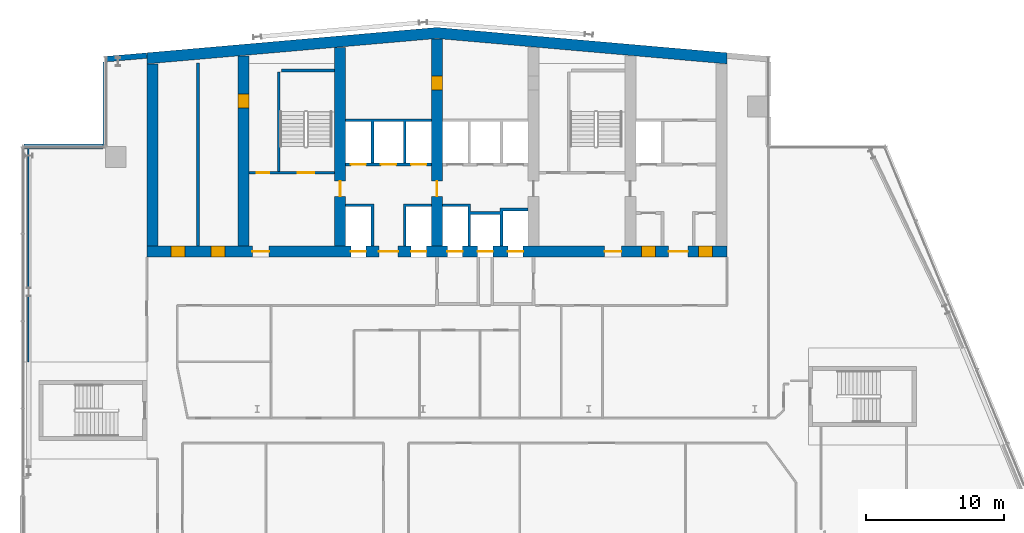
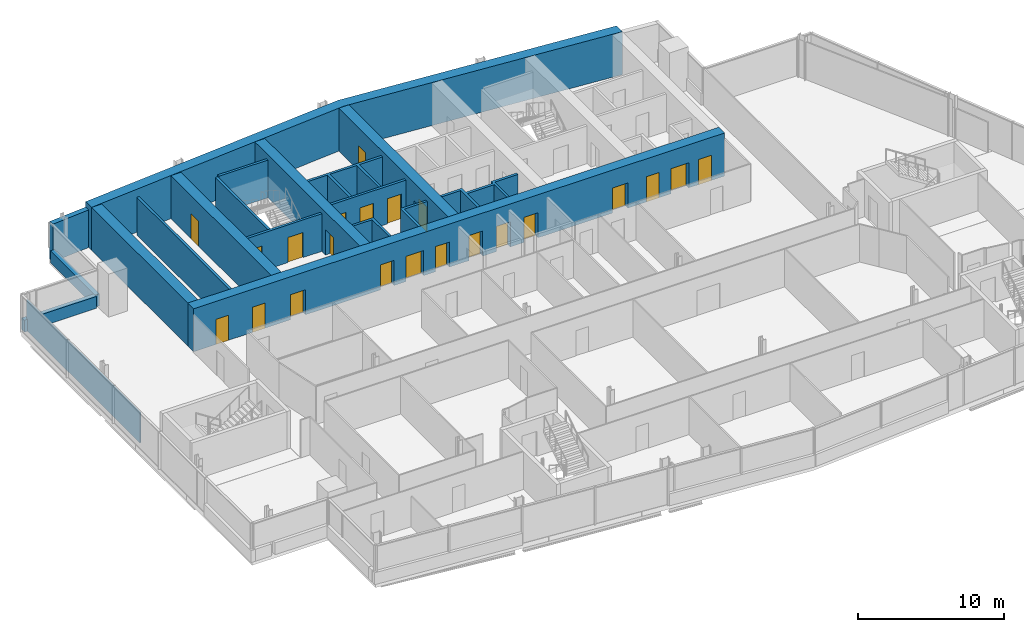
# One storey, part 19 of 24: 22 doors, 19 walls, 22 openings.
"""IFC4 building model written with IfcOpenShell, lengths in metres."""

from ifc_helpers import new_model, si_unit, direction, frame, frame_2d, origin, place, context, subcontext, project, spatial, polyline, rectangle, outline, extrude, material, layer, layer_set, type_object, element, fill, save


model = new_model("IFC4")

# Units and contexts
model_context = context("Model", 3, precision=1e-05, world=origin(), true_north=direction((0.0, 1.0)))
body_context = subcontext(model_context, "Body", "Model", "MODEL_VIEW")
ifc_project = project(units=[si_unit("LENGTHUNIT", "METRE"), si_unit("AREAUNIT", "SQUARE_METRE"), si_unit("VOLUMEUNIT", "CUBIC_METRE"), si_unit("PLANEANGLEUNIT", "RADIAN"), si_unit("MASSUNIT", "GRAM", prefix="KILO")], contexts=[model_context])

# Site, building, storey
site_placement = place(None, origin())
site = spatial("IfcSite", under=ifc_project, at=site_placement, CompositionType="ELEMENT")
building_placement = place(site_placement, origin())
building = spatial("IfcBuilding", under=site, at=building_placement, Name="Wharfspan Tower", CompositionType="ELEMENT")
storey_placement = place(building_placement, frame((0.0, 0.0, 198.699951)))
storey = spatial("IfcBuildingStorey", under=building, at=storey_placement, Name="L49", CompositionType="ELEMENT", Elevation=198.699951)

# Walls
ifc_material_1 = material(Name="Calcium silicate masonry", Category="masonry")
ifc_layer_1 = layer(ifc_material_1, 0.199951)
ifc_layer_set_1 = layer_set([ifc_layer_1], Name="Calcium silicate masonry")
wall_type_1 = type_object("IfcWallType", Name="Core room wall 200", PredefinedType="PARTITIONING", material=ifc_layer_set_1)
wall_1_placement = place(storey_placement, frame((19.699951, 34.800049, 0.0), z_axis=(0.0, 0.0, 1.0), x_axis=(0.0, 1.0, 0.0)))
element("IfcWall", 1, at=wall_1_placement, inside=storey, type_object=wall_type_1, Name="sw:L49:RM1", PredefinedType="PARTITIONING", context=body_context, shape_type="SweptSolid", body=[
    extrude(rectangle(XDim=13.234131, YDim=0.199951, at=frame_2d((6.617188, 0.0))), origin(), (0.0, 0.0, 1.0), 3.150146),
])
ifc_material_2 = material(Name="Concrete C60/75", Category="concrete")
ifc_layer_2 = layer(ifc_material_2, 0.800049)
ifc_layer_set_2 = layer_set([ifc_layer_2], Name="Concrete C60/75")
wall_type_2 = type_object("IfcWallType", Name="Core wall 800 C60/75", PredefinedType="SHEAR", material=ifc_layer_set_2)
wall_2_placement = place(storey_placement, origin())
element("IfcWall", 2, at=wall_2_placement, inside=storey, type_object=wall_type_2, Name="Core rear wall L49", PredefinedType="SHEAR", context=body_context, shape_type="SweptSolid", body=[
    extrude(outline(polyline([(16.0, 47.984375), (37.0, 49.821533), (58.0, 47.984375), (58.0, 48.787354), (37.0, 50.624756), (16.0, 48.787354), (16.0, 47.984375)])), origin(), (0.0, 0.0, 1.0), 3.600098),
])

# Wall, openings, doors
wall_3_placement = place(storey_placement, frame((16.0, 34.399902, 0.0), z_axis=(0.0, 0.0, 1.0), x_axis=(1.0, 0.0, 0.0)))
wall_3 = element("IfcWall", 3, at=wall_3_placement, inside=storey, type_object=wall_type_2, Name="Core front wall L49", PredefinedType="SHEAR", context=body_context, shape_type="SweptSolid", body=[
    extrude(rectangle(XDim=42.0, YDim=0.800049, at=frame_2d((21.0, 0.0))), origin(), (0.0, 0.0, 1.0), 3.600098),
])
opening_1_placement = place(wall_3_placement, frame((1.75, 0.0, 0.0)))
opening_1 = element("IfcOpeningElement", 4, at=opening_1_placement, cuts=wall_3, Name="Opening CD49.11", PredefinedType="OPENING", context=body_context, shape_type="SweptSolid", body=[
    extrude(rectangle(XDim=1.0, YDim=2.100098, at=frame_2d((0.5, 1.050049))), frame((0.0, 0.409912, 0.0), z_axis=(0.0, -1.0, 0.0), x_axis=(1.0, 0.0, 0.0)), (0.0, 0.0, 1.0), 0.820068),
])
opening_2_placement = place(wall_3_placement, frame((4.649902, 0.0, 0.0)))
opening_2 = element("IfcOpeningElement", 5, at=opening_2_placement, cuts=wall_3, Name="Opening CD49.12", PredefinedType="OPENING", context=body_context, shape_type="SweptSolid", body=[
    extrude(rectangle(XDim=1.0, YDim=2.100098, at=frame_2d((0.5, 1.050049))), frame((0.0, 0.409912, 0.0), z_axis=(0.0, -1.0, 0.0), x_axis=(1.0, 0.0, 0.0)), (0.0, 0.0, 1.0), 0.820068),
])
opening_3_placement = place(wall_3_placement, frame((7.649902, 0.0, 0.0)))
opening_3 = element("IfcOpeningElement", 6, at=opening_3_placement, cuts=wall_3, Name="Opening SV2.L49", PredefinedType="OPENING", context=body_context, shape_type="SweptSolid", body=[
    extrude(rectangle(XDim=1.199951, YDim=2.100098, at=frame_2d((0.600098, 1.050049))), frame((0.0, 0.409912, 0.0), z_axis=(0.0, -1.0, 0.0), x_axis=(1.0, 0.0, 0.0)), (0.0, 0.0, 1.0), 0.820068),
])
opening_4_placement = place(wall_3_placement, frame((14.766602, 0.0, 0.0)))
opening_4 = element("IfcOpeningElement", 7, at=opening_4_placement, cuts=wall_3, Name="Opening LD.SL1.L49", PredefinedType="OPENING", context=body_context, shape_type="SweptSolid", body=[
    extrude(rectangle(XDim=1.100098, YDim=2.100098, at=frame_2d((0.550049, 1.050049))), frame((0.0, 0.409912, 0.0), z_axis=(0.0, -1.0, 0.0), x_axis=(1.0, 0.0, 0.0)), (0.0, 0.0, 1.0), 0.820068),
])
opening_5_placement = place(wall_3_placement, frame((19.133301, 0.0, 0.0)))
opening_5 = element("IfcOpeningElement", 8, at=opening_5_placement, cuts=wall_3, Name="Opening LD.SL2.L49", PredefinedType="OPENING", context=body_context, shape_type="SweptSolid", body=[
    extrude(rectangle(XDim=1.100098, YDim=2.100098, at=frame_2d((0.550049, 1.050049))), frame((0.0, 0.409912, 0.0), z_axis=(0.0, -1.0, 0.0), x_axis=(1.0, 0.0, 0.0)), (0.0, 0.0, 1.0), 0.820068),
])
opening_6_placement = place(wall_3_placement, frame((16.800049, 0.0, 0.0)))
opening_6 = element("IfcOpeningElement", 9, at=opening_6_placement, cuts=wall_3, Name="Opening HD49.3", PredefinedType="OPENING", context=body_context, shape_type="SweptSolid", body=[
    extrude(rectangle(XDim=1.399902, YDim=2.100098, at=frame_2d((0.699951, 1.050049))), frame((0.0, 0.409912, 0.0), z_axis=(0.0, -1.0, 0.0), x_axis=(1.0, 0.0, 0.0)), (0.0, 0.0, 1.0), 0.820068),
])
opening_7_placement = place(wall_3_placement, frame((21.766602, 0.0, 0.0)))
opening_7 = element("IfcOpeningElement", 10, at=opening_7_placement, cuts=wall_3, Name="Opening LD.FF1.L49", PredefinedType="OPENING", context=body_context, shape_type="SweptSolid", body=[
    extrude(rectangle(XDim=1.100098, YDim=2.100098, at=frame_2d((0.550049, 1.050049))), frame((0.0, 0.409912, 0.0), z_axis=(0.0, -1.0, 0.0), x_axis=(1.0, 0.0, 0.0)), (0.0, 0.0, 1.0), 0.820068),
])
opening_8_placement = place(wall_3_placement, frame((23.949951, 0.0, 0.0)))
opening_8 = element("IfcOpeningElement", 11, at=opening_8_placement, cuts=wall_3, Name="Opening LD.LB7.L49", PredefinedType="OPENING", context=body_context, shape_type="SweptSolid", body=[
    extrude(rectangle(XDim=1.100098, YDim=2.100098, at=frame_2d((0.550049, 1.050049))), frame((0.0, 0.409912, 0.0), z_axis=(0.0, -1.0, 0.0), x_axis=(1.0, 0.0, 0.0)), (0.0, 0.0, 1.0), 0.820068),
])
opening_9_placement = place(wall_3_placement, frame((26.133301, 0.0, 0.0)))
opening_9 = element("IfcOpeningElement", 12, at=opening_9_placement, cuts=wall_3, Name="Opening LD.FF2.L49", PredefinedType="OPENING", context=body_context, shape_type="SweptSolid", body=[
    extrude(rectangle(XDim=1.100098, YDim=2.100098, at=frame_2d((0.550049, 1.050049))), frame((0.0, 0.409912, 0.0), z_axis=(0.0, -1.0, 0.0), x_axis=(1.0, 0.0, 0.0)), (0.0, 0.0, 1.0), 0.820068),
])
opening_10_placement = place(wall_3_placement, frame((33.149902, 0.0, 0.0)))
opening_10 = element("IfcOpeningElement", 13, at=opening_10_placement, cuts=wall_3, Name="Opening SV5.L49", PredefinedType="OPENING", context=body_context, shape_type="SweptSolid", body=[
    extrude(rectangle(XDim=1.199951, YDim=2.100098, at=frame_2d((0.600098, 1.050049))), frame((0.0, 0.409912, 0.0), z_axis=(0.0, -1.0, 0.0), x_axis=(1.0, 0.0, 0.0)), (0.0, 0.0, 1.0), 0.820068),
])
opening_11_placement = place(wall_3_placement, frame((35.81665, 0.0, 0.0)))
opening_11 = element("IfcOpeningElement", 14, at=opening_11_placement, cuts=wall_3, Name="Opening CD49.6F1", PredefinedType="OPENING", context=body_context, shape_type="SweptSolid", body=[
    extrude(rectangle(XDim=1.0, YDim=2.100098, at=frame_2d((0.5, 1.050049))), frame((0.0, 0.409912, 0.0), z_axis=(0.0, -1.0, 0.0), x_axis=(1.0, 0.0, 0.0)), (0.0, 0.0, 1.0), 0.820068),
])
opening_12_placement = place(wall_3_placement, frame((39.949951, 0.0, 0.0)))
opening_12 = element("IfcOpeningElement", 15, at=opening_12_placement, cuts=wall_3, Name="Opening CD49.6F3", PredefinedType="OPENING", context=body_context, shape_type="SweptSolid", body=[
    extrude(rectangle(XDim=1.0, YDim=2.100098, at=frame_2d((0.5, 1.050049))), frame((0.0, 0.409912, 0.0), z_axis=(0.0, -1.0, 0.0), x_axis=(1.0, 0.0, 0.0)), (0.0, 0.0, 1.0), 0.820068),
])
opening_13_placement = place(wall_3_placement, frame((37.766602, 0.0, 0.0)))
opening_13 = element("IfcOpeningElement", 16, at=opening_13_placement, cuts=wall_3, Name="Opening HD49.6", PredefinedType="OPENING", context=body_context, shape_type="SweptSolid", body=[
    extrude(rectangle(XDim=1.399902, YDim=2.100098, at=frame_2d((0.699951, 1.050049))), frame((0.0, 0.409912, 0.0), z_axis=(0.0, -1.0, 0.0), x_axis=(1.0, 0.0, 0.0)), (0.0, 0.0, 1.0), 0.820068),
])
ifc_material_3 = material(Name="Steel door leaf", Category="steel")
door_type_1 = type_object("IfcDoorType", Name="Core room door 1000x2100", OperationType="SINGLE_SWING_LEFT", PredefinedType="DOOR", material=ifc_material_3)
door_1_placement = place(opening_1_placement, origin())
door_1 = element("IfcDoor", 17, at=door_1_placement, inside=storey, type_object=door_type_1, Name="d:L49:1:rf", OperationType="SINGLE_SWING_LEFT", OverallHeight=2.100098, OverallWidth=1.0, PredefinedType="DOOR", context=body_context, shape_type="SweptSolid", body=[
    extrude(rectangle(XDim=1.0, YDim=2.100098, at=frame_2d((0.5, 1.050049))), frame((0.0, 0.399902, 0.0), z_axis=(0.0, -1.0, 0.0), x_axis=(1.0, 0.0, 0.0)), (0.0, 0.0, 1.0), 0.799561),
])
fill(opening_1, door_1)
door_2_placement = place(opening_2_placement, origin())
door_2 = element("IfcDoor", 18, at=door_2_placement, inside=storey, type_object=door_type_1, Name="d:L49:1:rr", OperationType="SINGLE_SWING_RIGHT", OverallHeight=2.100098, OverallWidth=1.0, PredefinedType="DOOR", context=body_context, shape_type="SweptSolid", body=[
    extrude(rectangle(XDim=1.0, YDim=2.100098, at=frame_2d((0.5, 1.050049))), frame((0.0, 0.399902, 0.0), z_axis=(0.0, -1.0, 0.0), x_axis=(1.0, 0.0, 0.0)), (0.0, 0.0, 1.0), 0.799561),
])
fill(opening_2, door_2)
door_3_placement = place(opening_11_placement, origin())
door_3 = element("IfcDoor", 19, at=door_3_placement, inside=storey, type_object=door_type_1, Name="d:L49:6:fd6.1", OperationType="SINGLE_SWING_LEFT", OverallHeight=2.100098, OverallWidth=1.0, PredefinedType="DOOR", context=body_context, shape_type="SweptSolid", body=[
    extrude(rectangle(XDim=1.0, YDim=2.100098, at=frame_2d((0.5, 1.050049))), frame((0.0, 0.399902, 0.0), z_axis=(0.0, -1.0, 0.0), x_axis=(1.0, 0.0, 0.0)), (0.0, 0.0, 1.0), 0.799561),
])
fill(opening_11, door_3)
door_4_placement = place(opening_12_placement, origin())
door_4 = element("IfcDoor", 20, at=door_4_placement, inside=storey, type_object=door_type_1, Name="d:L49:6:fd6.3", OperationType="SINGLE_SWING_LEFT", OverallHeight=2.100098, OverallWidth=1.0, PredefinedType="DOOR", context=body_context, shape_type="SweptSolid", body=[
    extrude(rectangle(XDim=1.0, YDim=2.100098, at=frame_2d((0.5, 1.050049))), frame((0.0, 0.399902, 0.0), z_axis=(0.0, -1.0, 0.0), x_axis=(1.0, 0.0, 0.0)), (0.0, 0.0, 1.0), 0.799561),
])
fill(opening_12, door_4)
door_type_2 = type_object("IfcDoorType", Name="Hall entry door 1400x2100", OperationType="DOUBLE_DOOR_SINGLE_SWING", PredefinedType="DOOR", material=ifc_material_3)
door_5_placement = place(opening_6_placement, origin())
door_5 = element("IfcDoor", 21, at=door_5_placement, inside=storey, type_object=door_type_2, Name="d:L49:3:hd3", OperationType="DOUBLE_DOOR_SINGLE_SWING", OverallHeight=2.100098, OverallWidth=1.399902, PredefinedType="DOOR", context=body_context, shape_type="SweptSolid", body=[
    extrude(rectangle(XDim=1.399902, YDim=2.100098, at=frame_2d((0.699951, 1.050049))), frame((0.0, 0.024902, 0.0), z_axis=(0.0, -1.0, 0.0), x_axis=(1.0, 0.0, 0.0)), (0.0, 0.0, 1.0), 0.050049),
])
fill(opening_6, door_5)
door_6_placement = place(opening_13_placement, origin())
door_6 = element("IfcDoor", 22, at=door_6_placement, inside=storey, type_object=door_type_2, Name="d:L49:6:hd6", OperationType="DOUBLE_DOOR_SINGLE_SWING", OverallHeight=2.100098, OverallWidth=1.399902, PredefinedType="DOOR", context=body_context, shape_type="SweptSolid", body=[
    extrude(rectangle(XDim=1.399902, YDim=2.100098, at=frame_2d((0.699951, 1.050049))), frame((0.0, 0.024902, 0.0), z_axis=(0.0, -1.0, 0.0), x_axis=(1.0, 0.0, 0.0)), (0.0, 0.0, 1.0), 0.050049),
])
fill(opening_13, door_6)
ifc_material_4 = material(Name="Stainless steel", Category="steel")
door_type_3 = type_object("IfcDoorType", Name="Lift landing door 1100x2100", OperationType="DOUBLE_DOOR_SLIDING", PredefinedType="DOOR", material=ifc_material_4)
door_7_placement = place(opening_4_placement, origin())
door_7 = element("IfcDoor", 23, at=door_7_placement, inside=storey, type_object=door_type_3, Name="Landing door SL1 L49", OperationType="DOUBLE_DOOR_SLIDING", OverallHeight=2.100098, OverallWidth=1.100098, PredefinedType="DOOR", context=body_context, shape_type="SweptSolid", body=[
    extrude(rectangle(XDim=1.100098, YDim=2.100098, at=frame_2d((0.550049, 1.050049))), frame((0.0, 0.024902, 0.0), z_axis=(0.0, -1.0, 0.0), x_axis=(1.0, 0.0, 0.0)), (0.0, 0.0, 1.0), 0.050049),
])
fill(opening_4, door_7)
door_8_placement = place(opening_5_placement, origin())
door_8 = element("IfcDoor", 24, at=door_8_placement, inside=storey, type_object=door_type_3, Name="Landing door SL2 L49", OperationType="DOUBLE_DOOR_SLIDING", OverallHeight=2.100098, OverallWidth=1.100098, PredefinedType="DOOR", context=body_context, shape_type="SweptSolid", body=[
    extrude(rectangle(XDim=1.100098, YDim=2.100098, at=frame_2d((0.550049, 1.050049))), frame((0.0, 0.024902, 0.0), z_axis=(0.0, -1.0, 0.0), x_axis=(1.0, 0.0, 0.0)), (0.0, 0.0, 1.0), 0.050049),
])
fill(opening_5, door_8)
door_9_placement = place(opening_7_placement, origin())
door_9 = element("IfcDoor", 25, at=door_9_placement, inside=storey, type_object=door_type_3, Name="Landing door FF1 L49", OperationType="DOUBLE_DOOR_SLIDING", OverallHeight=2.100098, OverallWidth=1.100098, PredefinedType="DOOR", context=body_context, shape_type="SweptSolid", body=[
    extrude(rectangle(XDim=1.100098, YDim=2.100098, at=frame_2d((0.550049, 1.050049))), frame((0.0, 0.024902, 0.0), z_axis=(0.0, -1.0, 0.0), x_axis=(1.0, 0.0, 0.0)), (0.0, 0.0, 1.0), 0.050049),
])
fill(opening_7, door_9)
door_10_placement = place(opening_8_placement, origin())
door_10 = element("IfcDoor", 26, at=door_10_placement, inside=storey, type_object=door_type_3, Name="Landing door LB7 L49", OperationType="DOUBLE_DOOR_SLIDING", OverallHeight=2.100098, OverallWidth=1.100098, PredefinedType="DOOR", context=body_context, shape_type="SweptSolid", body=[
    extrude(rectangle(XDim=1.100098, YDim=2.100098, at=frame_2d((0.550049, 1.050049))), frame((0.0, 0.024902, 0.0), z_axis=(0.0, -1.0, 0.0), x_axis=(1.0, 0.0, 0.0)), (0.0, 0.0, 1.0), 0.050049),
])
fill(opening_8, door_10)
door_11_placement = place(opening_9_placement, origin())
door_11 = element("IfcDoor", 27, at=door_11_placement, inside=storey, type_object=door_type_3, Name="Landing door FF2 L49", OperationType="DOUBLE_DOOR_SLIDING", OverallHeight=2.100098, OverallWidth=1.100098, PredefinedType="DOOR", context=body_context, shape_type="SweptSolid", body=[
    extrude(rectangle(XDim=1.100098, YDim=2.100098, at=frame_2d((0.550049, 1.050049))), frame((0.0, 0.024902, 0.0), z_axis=(0.0, -1.0, 0.0), x_axis=(1.0, 0.0, 0.0)), (0.0, 0.0, 1.0), 0.050049),
])
fill(opening_9, door_11)
door_type_4 = type_object("IfcDoorType", Name="Stair door 1200x2100", OperationType="SINGLE_SWING_LEFT", PredefinedType="DOOR", material=ifc_material_3)
door_12_placement = place(opening_3_placement, origin())
door_12 = element("IfcDoor", 28, at=door_12_placement, inside=storey, type_object=door_type_4, Name="vd:L49:2", OperationType="SINGLE_SWING_LEFT", OverallHeight=2.100098, OverallWidth=1.199951, PredefinedType="DOOR", context=body_context, shape_type="SweptSolid", body=[
    extrude(rectangle(XDim=1.199951, YDim=2.100098, at=frame_2d((0.600098, 1.050049))), frame((0.0, 0.024902, 0.0), z_axis=(0.0, -1.0, 0.0), x_axis=(1.0, 0.0, 0.0)), (0.0, 0.0, 1.0), 0.050049),
])
fill(opening_3, door_12)
door_13_placement = place(opening_10_placement, origin())
door_13 = element("IfcDoor", 29, at=door_13_placement, inside=storey, type_object=door_type_4, Name="vd:L49:5", OperationType="SINGLE_SWING_LEFT", OverallHeight=2.100098, OverallWidth=1.199951, PredefinedType="DOOR", context=body_context, shape_type="SweptSolid", body=[
    extrude(rectangle(XDim=1.199951, YDim=2.100098, at=frame_2d((0.600098, 1.050049))), frame((0.0, 0.024902, 0.0), z_axis=(0.0, -1.0, 0.0), x_axis=(1.0, 0.0, 0.0)), (0.0, 0.0, 1.0), 0.050049),
])
fill(opening_10, door_13)

# Wall
wall_4_placement = place(storey_placement, frame((16.399902, 34.800049, 0.0), z_axis=(0.0, 0.0, 1.0), x_axis=(0.0, 1.0, 0.0)))
element("IfcWall", 30, at=wall_4_placement, inside=storey, type_object=wall_type_2, Name="Core cross wall EW0 L49", PredefinedType="SHEAR", context=body_context, shape_type="SweptSolid", body=[
    extrude(rectangle(XDim=13.184326, YDim=0.800049, at=frame_2d((6.592285, 0.0))), origin(), (0.0, 0.0, 1.0), 3.600098),
])

# Wall, opening, door
wall_5_placement = place(storey_placement, frame((23.0, 34.800049, 0.0), z_axis=(0.0, 0.0, 1.0), x_axis=(0.0, 1.0, 0.0)))
wall_5 = element("IfcWall", 31, at=wall_5_placement, inside=storey, type_object=wall_type_2, Name="Core cross wall X2 L49", PredefinedType="SHEAR", context=body_context, shape_type="SweptSolid", body=[
    extrude(rectangle(XDim=13.761719, YDim=0.800049, at=frame_2d((6.880859, 0.0))), origin(), (0.0, 0.0, 1.0), 3.600098),
])
opening_14_placement = place(wall_5_placement, frame((10.0, 0.0, 0.0)))
opening_14 = element("IfcOpeningElement", 32, at=opening_14_placement, cuts=wall_5, Name="Opening CR49.2", PredefinedType="OPENING", context=body_context, shape_type="SweptSolid", body=[
    extrude(rectangle(XDim=1.0, YDim=2.100098, at=frame_2d((0.5, 1.050049))), frame((0.0, 0.409912, 0.0), z_axis=(0.0, -1.0, 0.0), x_axis=(1.0, 0.0, 0.0)), (0.0, 0.0, 1.0), 0.820068),
])
door_14_placement = place(opening_14_placement, origin())
door_14 = element("IfcDoor", 33, at=door_14_placement, inside=storey, type_object=door_type_1, Name="xr:L49:2", OperationType="SINGLE_SWING_RIGHT", OverallHeight=2.100098, OverallWidth=1.0, PredefinedType="DOOR", context=body_context, shape_type="SweptSolid", body=[
    extrude(rectangle(XDim=1.0, YDim=2.100098, at=frame_2d((0.5, 1.050049))), frame((0.0, 0.399902, 0.0), z_axis=(0.0, -1.0, 0.0), x_axis=(1.0, 0.0, 0.0)), (0.0, 0.0, 1.0), 0.799561),
])
fill(opening_14, door_14)

wall_6_placement = place(storey_placement, frame((30.0, 34.800049, 0.0), z_axis=(0.0, 0.0, 1.0), x_axis=(0.0, 1.0, 0.0)))
wall_6 = element("IfcWall", 34, at=wall_6_placement, inside=storey, type_object=wall_type_2, Name="Core cross wall X3 L49", PredefinedType="SHEAR", context=body_context, shape_type="SweptSolid", body=[
    extrude(rectangle(XDim=14.374023, YDim=0.800049, at=frame_2d((7.187012, 0.0))), origin(), (0.0, 0.0, 1.0), 3.600098),
])
opening_15_placement = place(wall_6_placement, frame((3.600098, 0.0, 0.0)))
opening_15 = element("IfcOpeningElement", 35, at=opening_15_placement, cuts=wall_6, Name="Opening CC49.3", PredefinedType="OPENING", context=body_context, shape_type="SweptSolid", body=[
    extrude(rectangle(XDim=1.100098, YDim=2.100098, at=frame_2d((0.550049, 1.050049))), frame((0.0, 0.409912, 0.0), z_axis=(0.0, -1.0, 0.0), x_axis=(1.0, 0.0, 0.0)), (0.0, 0.0, 1.0), 0.820068),
])
door_type_5 = type_object("IfcDoorType", Name="Core corridor door 1100x2100", OperationType="SINGLE_SWING_LEFT", PredefinedType="DOOR", material=ifc_material_3)
door_15_placement = place(opening_15_placement, origin())
door_15 = element("IfcDoor", 36, at=door_15_placement, inside=storey, type_object=door_type_5, Name="xd:L49:3", OperationType="SINGLE_SWING_LEFT", OverallHeight=2.100098, OverallWidth=1.100098, PredefinedType="DOOR", context=body_context, shape_type="SweptSolid", body=[
    extrude(rectangle(XDim=1.100098, YDim=2.100098, at=frame_2d((0.550049, 1.050049))), frame((0.0, 0.024902, 0.0), z_axis=(0.0, -1.0, 0.0), x_axis=(1.0, 0.0, 0.0)), (0.0, 0.0, 1.0), 0.050049),
])
fill(opening_15, door_15)

# Wall, openings, doors
wall_7_placement = place(storey_placement, frame((37.0, 34.800049, 0.0), z_axis=(0.0, 0.0, 1.0), x_axis=(0.0, 1.0, 0.0)))
wall_7 = element("IfcWall", 37, at=wall_7_placement, inside=storey, type_object=wall_type_2, Name="Core cross wall X4 L49", PredefinedType="SHEAR", context=body_context, shape_type="SweptSolid", body=[
    extrude(rectangle(XDim=14.986572, YDim=0.800049, at=frame_2d((7.493164, 0.0))), origin(), (0.0, 0.0, 1.0), 3.600098),
])
opening_16_placement = place(wall_7_placement, frame((11.312012, 0.0, 0.0)))
opening_16 = element("IfcOpeningElement", 38, at=opening_16_placement, cuts=wall_7, Name="Opening CD49.3X", PredefinedType="OPENING", context=body_context, shape_type="SweptSolid", body=[
    extrude(rectangle(XDim=1.0, YDim=2.100098, at=frame_2d((0.5, 1.050049))), frame((0.0, 0.409912, 0.0), z_axis=(0.0, -1.0, 0.0), x_axis=(1.0, 0.0, 0.0)), (0.0, 0.0, 1.0), 0.820068),
])
opening_17_placement = place(wall_7_placement, frame((3.600098, 0.0, 0.0)))
opening_17 = element("IfcOpeningElement", 39, at=opening_17_placement, cuts=wall_7, Name="Opening CC49.4", PredefinedType="OPENING", context=body_context, shape_type="SweptSolid", body=[
    extrude(rectangle(XDim=1.100098, YDim=2.100098, at=frame_2d((0.550049, 1.050049))), frame((0.0, 0.409912, 0.0), z_axis=(0.0, -1.0, 0.0), x_axis=(1.0, 0.0, 0.0)), (0.0, 0.0, 1.0), 0.820068),
])
door_16_placement = place(opening_17_placement, origin())
door_16 = element("IfcDoor", 40, at=door_16_placement, inside=storey, type_object=door_type_5, Name="xd:L49:4", OperationType="SINGLE_SWING_RIGHT", OverallHeight=2.100098, OverallWidth=1.100098, PredefinedType="DOOR", context=body_context, shape_type="SweptSolid", body=[
    extrude(rectangle(XDim=1.100098, YDim=2.100098, at=frame_2d((0.550049, 1.050049))), frame((0.0, 0.024902, 0.0), z_axis=(0.0, -1.0, 0.0), x_axis=(1.0, 0.0, 0.0)), (0.0, 0.0, 1.0), 0.050049),
])
fill(opening_17, door_16)
door_17_placement = place(opening_16_placement, origin())
door_17 = element("IfcDoor", 41, at=door_17_placement, inside=storey, type_object=door_type_1, Name="d:L49:3:sx", OperationType="SINGLE_SWING_LEFT", OverallHeight=2.100098, OverallWidth=1.0, PredefinedType="DOOR", context=body_context, shape_type="SweptSolid", body=[
    extrude(rectangle(XDim=1.0, YDim=2.100098, at=frame_2d((0.5, 1.050049))), frame((0.0, 0.399902, 0.0), z_axis=(0.0, -1.0, 0.0), x_axis=(1.0, 0.0, 0.0)), (0.0, 0.0, 1.0), 0.799561),
])
fill(opening_16, door_17)

ifc_material_5 = material(Name="Concrete C30/37", Category="concrete")
ifc_layer_3 = layer(ifc_material_5, 0.199951)
ifc_layer_set_3 = layer_set([ifc_layer_3], Name="Concrete C30/37")
wall_type_3 = type_object("IfcWallType", Name="Lift shaft wall 200", PredefinedType="PARTITIONING", material=ifc_layer_set_3)
wall_8_placement = place(storey_placement, frame((30.399902, 40.699951, 0.0), z_axis=(0.0, 0.0, 1.0), x_axis=(1.0, 0.0, 0.0)))
wall_8 = element("IfcWall", 42, at=wall_8_placement, inside=storey, type_object=wall_type_3, Name="sw:L49:RF3", PredefinedType="PARTITIONING", context=body_context, shape_type="SweptSolid", body=[
    extrude(rectangle(XDim=6.200195, YDim=0.199951, at=frame_2d((3.100098, 0.0))), origin(), (0.0, 0.0, 1.0), 3.150146),
])
opening_18_placement = place(wall_8_placement, frame((0.366699, 0.0, 0.0)))
opening_18 = element("IfcOpeningElement", 43, at=opening_18_placement, cuts=wall_8, Name="Opening LD.LB1.L49", PredefinedType="OPENING", context=body_context, shape_type="SweptSolid", body=[
    extrude(rectangle(XDim=1.100098, YDim=2.100098, at=frame_2d((0.550049, 1.050049))), frame((0.0, 0.109863, 0.0), z_axis=(0.0, -1.0, 0.0), x_axis=(1.0, 0.0, 0.0)), (0.0, 0.0, 1.0), 0.219971),
])
opening_19_placement = place(wall_8_placement, frame((2.550049, 0.0, 0.0)))
opening_19 = element("IfcOpeningElement", 44, at=opening_19_placement, cuts=wall_8, Name="Opening LD.LB2.L49", PredefinedType="OPENING", context=body_context, shape_type="SweptSolid", body=[
    extrude(rectangle(XDim=1.100098, YDim=2.100098, at=frame_2d((0.550049, 1.050049))), frame((0.0, 0.109863, 0.0), z_axis=(0.0, -1.0, 0.0), x_axis=(1.0, 0.0, 0.0)), (0.0, 0.0, 1.0), 0.219971),
])
opening_20_placement = place(wall_8_placement, frame((4.733398, 0.0, 0.0)))
opening_20 = element("IfcOpeningElement", 45, at=opening_20_placement, cuts=wall_8, Name="Opening LD.LB3.L49", PredefinedType="OPENING", context=body_context, shape_type="SweptSolid", body=[
    extrude(rectangle(XDim=1.100098, YDim=2.100098, at=frame_2d((0.550049, 1.050049))), frame((0.0, 0.109863, 0.0), z_axis=(0.0, -1.0, 0.0), x_axis=(1.0, 0.0, 0.0)), (0.0, 0.0, 1.0), 0.219971),
])
door_18_placement = place(opening_18_placement, origin())
door_18 = element("IfcDoor", 46, at=door_18_placement, inside=storey, type_object=door_type_3, Name="Landing door LB1 L49", OperationType="DOUBLE_DOOR_SLIDING", OverallHeight=2.100098, OverallWidth=1.100098, PredefinedType="DOOR", context=body_context, shape_type="SweptSolid", body=[
    extrude(rectangle(XDim=1.100098, YDim=2.100098, at=frame_2d((0.550049, 1.050049))), frame((0.0, 0.024902, 0.0), z_axis=(0.0, -1.0, 0.0), x_axis=(1.0, 0.0, 0.0)), (0.0, 0.0, 1.0), 0.050049),
])
fill(opening_18, door_18)
door_19_placement = place(opening_19_placement, origin())
door_19 = element("IfcDoor", 47, at=door_19_placement, inside=storey, type_object=door_type_3, Name="Landing door LB2 L49", OperationType="DOUBLE_DOOR_SLIDING", OverallHeight=2.100098, OverallWidth=1.100098, PredefinedType="DOOR", context=body_context, shape_type="SweptSolid", body=[
    extrude(rectangle(XDim=1.100098, YDim=2.100098, at=frame_2d((0.550049, 1.050049))), frame((0.0, 0.024902, 0.0), z_axis=(0.0, -1.0, 0.0), x_axis=(1.0, 0.0, 0.0)), (0.0, 0.0, 1.0), 0.050049),
])
fill(opening_19, door_19)
door_20_placement = place(opening_20_placement, origin())
door_20 = element("IfcDoor", 48, at=door_20_placement, inside=storey, type_object=door_type_3, Name="Landing door LB3 L49", OperationType="DOUBLE_DOOR_SLIDING", OverallHeight=2.100098, OverallWidth=1.100098, PredefinedType="DOOR", context=body_context, shape_type="SweptSolid", body=[
    extrude(rectangle(XDim=1.100098, YDim=2.100098, at=frame_2d((0.550049, 1.050049))), frame((0.0, 0.024902, 0.0), z_axis=(0.0, -1.0, 0.0), x_axis=(1.0, 0.0, 0.0)), (0.0, 0.0, 1.0), 0.050049),
])
fill(opening_20, door_20)

# Walls
wall_9_placement = place(storey_placement, origin())
element("IfcWall", 49, at=wall_9_placement, inside=storey, type_object=wall_type_3, Name="sw:L49:FM3.0", PredefinedType="PARTITIONING", context=body_context, shape_type="SweptSolid", body=[
    extrude(outline(polyline([(32.233398, 37.649902), (30.399902, 37.649902), (30.399902, 37.850098), (32.233398, 37.850098), (32.43335, 37.850098), (32.43335, 34.800049), (32.233398, 34.800049), (32.233398, 37.649902)])), origin(), (0.0, 0.0, 1.0), 3.150146),
])
wall_10_placement = place(storey_placement, origin())
element("IfcWall", 50, at=wall_10_placement, inside=storey, type_object=wall_type_3, Name="sw:L49:FM3.1", PredefinedType="PARTITIONING", context=body_context, shape_type="SweptSolid", body=[
    extrude(outline(polyline([(34.56665, 37.850098), (34.766602, 37.850098), (36.600098, 37.850098), (36.600098, 37.649902), (34.766602, 37.649902), (34.766602, 34.800049), (34.56665, 34.800049), (34.56665, 37.850098)])), origin(), (0.0, 0.0, 1.0), 3.150146),
])
wall_11_placement = place(storey_placement, origin())
element("IfcWall", 51, at=wall_11_placement, inside=storey, type_object=wall_type_3, Name="sw:L49:RM3.0", PredefinedType="PARTITIONING", context=body_context, shape_type="SweptSolid", body=[
    extrude(outline(polyline([(32.43335, 40.800049), (32.233398, 40.800049), (32.233398, 43.800049), (30.399902, 43.800049), (30.399902, 44.0), (36.600098, 44.0), (36.600098, 43.800049), (34.766602, 43.800049), (34.766602, 40.800049), (34.56665, 40.800049), (34.56665, 43.800049), (32.43335, 43.800049), (32.43335, 40.800049)])), origin(), (0.0, 0.0, 1.0), 3.150146),
])
wall_12_placement = place(storey_placement, origin())
element("IfcWall", 52, at=wall_12_placement, inside=storey, type_object=wall_type_3, Name="sw:L49:FM4.0", PredefinedType="PARTITIONING", context=body_context, shape_type="SweptSolid", body=[
    extrude(outline(polyline([(41.56665, 37.100098), (39.43335, 37.100098), (39.43335, 34.800049), (39.233398, 34.800049), (39.233398, 37.649902), (37.399902, 37.649902), (37.399902, 37.850098), (39.233398, 37.850098), (39.43335, 37.850098), (39.43335, 37.300049), (41.56665, 37.300049), (41.56665, 37.550049), (41.766602, 37.550049), (43.600098, 37.550049), (43.600098, 37.350098), (41.766602, 37.350098), (41.766602, 34.800049), (41.56665, 34.800049), (41.56665, 37.100098)])), origin(), (0.0, 0.0, 1.0), 3.150146),
])
ifc_material_6 = material(Name="Gypsum board on steel studs", Category="steel")
ifc_layer_4 = layer(ifc_material_6, 0.100098)
ifc_layer_set_4 = layer_set([ifc_layer_4], Name="Gypsum board on steel studs")
wall_type_4 = type_object("IfcWallType", Name="Partition 100", PredefinedType="PARTITIONING", material=ifc_layer_set_4)
wall_13_placement = place(storey_placement, frame((7.419922, 26.419922, 0.0), z_axis=(0.0, 0.0, 1.0), x_axis=(0.0, 1.0, 0.0)))
element("IfcWall", 53, at=wall_13_placement, inside=storey, type_object=wall_type_4, Name="Partition L49.w003", PredefinedType="PARTITIONING", context=body_context, shape_type="SweptSolid", body=[
    extrude(rectangle(XDim=15.560059, YDim=0.100098, at=frame_2d((7.780029, 0.0))), origin(), (0.0, 0.0, 1.0), 2.530029),
])
ifc_material_7 = material(Name="Concrete C40/50", Category="concrete")
ifc_layer_5 = layer(ifc_material_7, 0.350098)
ifc_layer_set_5 = layer_set([ifc_layer_5], Name="Concrete C40/50")
wall_type_5 = type_object("IfcWallType", Name="SPANDREL EXPOSED CONCRETE 350", PredefinedType="SOLIDWALL", material=ifc_layer_set_5)
wall_14_placement = place(storey_placement, frame((12.995117, 48.126465, 0.0), z_axis=(0.0, 0.0, 1.0), x_axis=(0.0, -1.0, 0.0)))
element("IfcWall", 54, at=wall_14_placement, inside=storey, type_object=wall_type_5, Name="Spandrel upstand L49 NRW-V", PredefinedType="SOLIDWALL", context=body_context, shape_type="SweptSolid", body=[
    extrude(rectangle(XDim=6.126465, YDim=0.350098, at=frame_2d((3.063232, 0.0))), origin(), (0.0, 0.0, 1.0), 1.0),
])
wall_15_placement = place(storey_placement, frame((12.820068, 42.004883, 0.0), z_axis=(0.0, 0.0, 1.0), x_axis=(-1.0, 0.0, 0.0)))
element("IfcWall", 55, at=wall_15_placement, inside=storey, type_object=wall_type_5, Name="Spandrel upstand L49 NRW-H", PredefinedType="SOLIDWALL", context=body_context, shape_type="SweptSolid", body=[
    extrude(rectangle(XDim=5.699951, YDim=0.350098, at=frame_2d((2.850098, 0.0))), origin(), (0.0, 0.0, 1.0), 1.0),
])

# Wall, openings, doors
ifc_layer_6 = layer(ifc_material_7, 0.199951)
ifc_layer_set_6 = layer_set([ifc_layer_6], Name="Concrete C40/50")
wall_type_6 = type_object("IfcWallType", Name="Stair shaft wall 200", PredefinedType="SHEAR", material=ifc_layer_set_6)
wall_16_placement = place(storey_placement, frame((23.399902, 40.100098, 0.0), z_axis=(0.0, 0.0, 1.0), x_axis=(1.0, 0.0, 0.0)))
wall_16 = element("IfcWall", 56, at=wall_16_placement, inside=storey, type_object=wall_type_6, Name="ST1 stair enclosure wall L49", PredefinedType="SHEAR", context=body_context, shape_type="SweptSolid", body=[
    extrude(rectangle(XDim=6.200195, YDim=0.199951, at=frame_2d((3.100098, 0.0))), origin(), (0.0, 0.0, 1.0), 3.150146),
])
opening_21_placement = place(wall_16_placement, frame((3.524902, 0.0, 0.0)))
opening_21 = element("IfcOpeningElement", 57, at=opening_21_placement, cuts=wall_16, Name="Opening SD2.L49", PredefinedType="OPENING", context=body_context, shape_type="SweptSolid", body=[
    extrude(rectangle(XDim=1.199951, YDim=2.100098, at=frame_2d((0.600098, 1.050049))), frame((0.0, 0.109863, 0.0), z_axis=(0.0, -1.0, 0.0), x_axis=(1.0, 0.0, 0.0)), (0.0, 0.0, 1.0), 0.219971),
])
opening_22_placement = place(wall_16_placement, frame((0.574951, 0.0, 0.0)))
opening_22 = element("IfcOpeningElement", 58, at=opening_22_placement, cuts=wall_16, Name="Opening CD49.2R", PredefinedType="OPENING", context=body_context, shape_type="SweptSolid", body=[
    extrude(rectangle(XDim=0.899902, YDim=2.100098, at=frame_2d((0.449951, 1.050049))), frame((0.0, 0.109863, 0.0), z_axis=(0.0, -1.0, 0.0), x_axis=(1.0, 0.0, 0.0)), (0.0, 0.0, 1.0), 0.219971),
])
door_21_placement = place(opening_22_placement, origin())
door_21 = element("IfcDoor", 59, at=door_21_placement, inside=storey, type_object=door_type_1, Name="rk:L49:2", OperationType="SINGLE_SWING_LEFT", OverallHeight=2.100098, OverallWidth=0.899902, PredefinedType="DOOR", context=body_context, shape_type="SweptSolid", body=[
    extrude(rectangle(XDim=0.899902, YDim=2.100098, at=frame_2d((0.449951, 1.050049))), frame((0.0, 0.024902, 0.0), z_axis=(0.0, -1.0, 0.0), x_axis=(1.0, 0.0, 0.0)), (0.0, 0.0, 1.0), 0.050049),
])
fill(opening_22, door_21)
door_22_placement = place(opening_21_placement, origin())
door_22 = element("IfcDoor", 60, at=door_22_placement, inside=storey, type_object=door_type_4, Name="sd:L49:2", OperationType="SINGLE_SWING_RIGHT", OverallHeight=2.100098, OverallWidth=1.199951, PredefinedType="DOOR", context=body_context, shape_type="SweptSolid", body=[
    extrude(rectangle(XDim=1.199951, YDim=2.100098, at=frame_2d((0.600098, 1.050049))), frame((0.0, 0.024902, 0.0), z_axis=(0.0, -1.0, 0.0), x_axis=(1.0, 0.0, 0.0)), (0.0, 0.0, 1.0), 0.050049),
])
fill(opening_21, door_22)

# Walls
wall_17_placement = place(storey_placement, frame((25.550049, 40.199951, 0.0), z_axis=(0.0, 0.0, 1.0), x_axis=(0.0, 1.0, 0.0)))
element("IfcWall", 61, at=wall_17_placement, inside=storey, type_object=wall_type_6, Name="ST1 stair enclosure wall L49", PredefinedType="SHEAR", context=body_context, shape_type="SweptSolid", body=[
    extrude(rectangle(XDim=7.199951, YDim=0.199951, at=frame_2d((3.600098, 0.0))), origin(), (0.0, 0.0, 1.0), 3.150146),
])
wall_18_placement = place(storey_placement, frame((25.75, 47.5, 0.0), z_axis=(0.0, 0.0, 1.0), x_axis=(1.0, 0.0, 0.0)))
element("IfcWall", 62, at=wall_18_placement, inside=storey, type_object=wall_type_6, Name="ST1 stair enclosure wall L49", PredefinedType="SHEAR", context=body_context, shape_type="SweptSolid", body=[
    extrude(rectangle(XDim=3.850098, YDim=0.199951, at=frame_2d((1.925049, 0.0))), origin(), (0.0, 0.0, 1.0), 3.150146),
])
ifc_layer_7 = layer(ifc_material_7, 0.399902)
ifc_layer_set_7 = layer_set([ifc_layer_7], Name="Concrete C40/50")
wall_type_7 = type_object("IfcWallType", Name="WALL EXPOSED CONCRETE 400", PredefinedType="SOLIDWALL", material=ifc_layer_set_7)
wall_19_placement = place(storey_placement, frame((16.0, 48.58667, 0.0), z_axis=(0.0, 0.0, 1.0), x_axis=(-0.996194, -0.087168, 0.0)))
element("IfcWall", 63, at=wall_19_placement, inside=storey, type_object=wall_type_7, Name="Rear wall N1", PredefinedType="SOLIDWALL", context=body_context, shape_type="SweptSolid", body=[
    extrude(rectangle(XDim=2.994141, YDim=0.399902, at=frame_2d((1.49707, 0.0))), origin(), (0.0, 0.0, 1.0), 3.150146),
])

save(model, "model.ifc")
